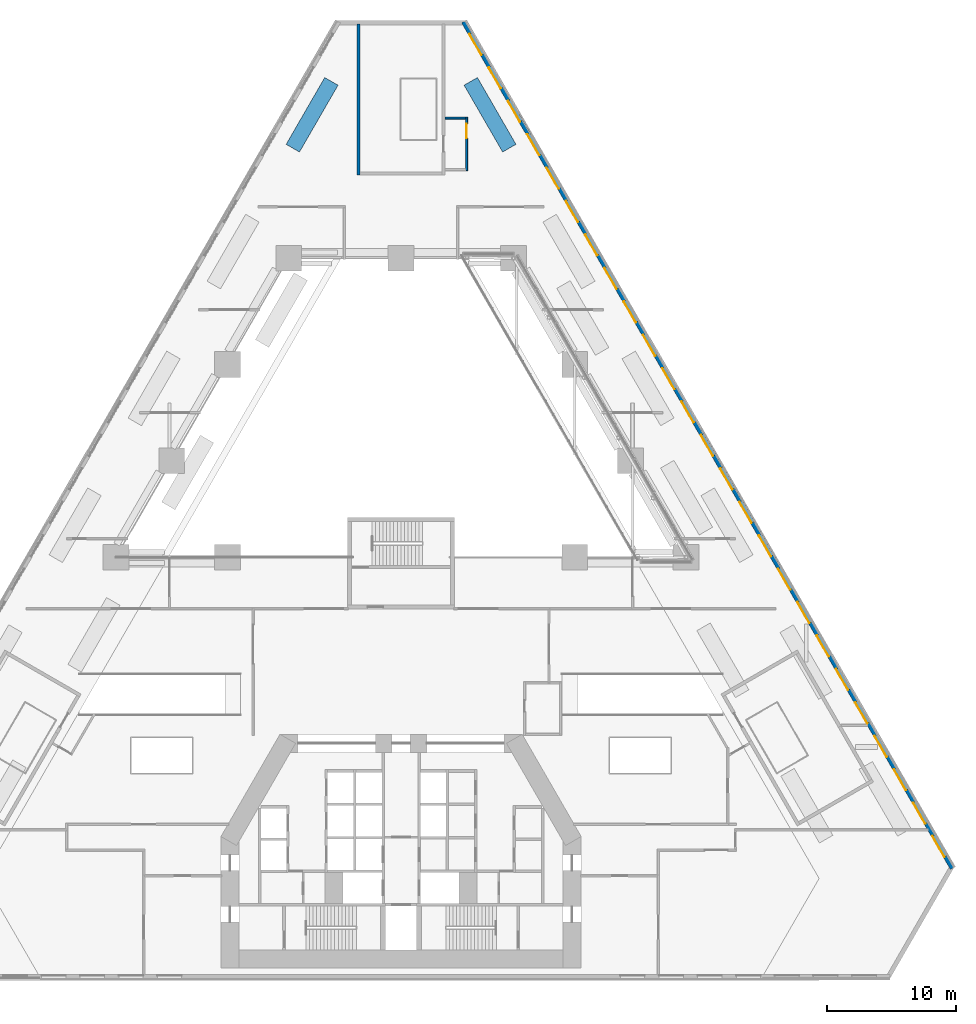
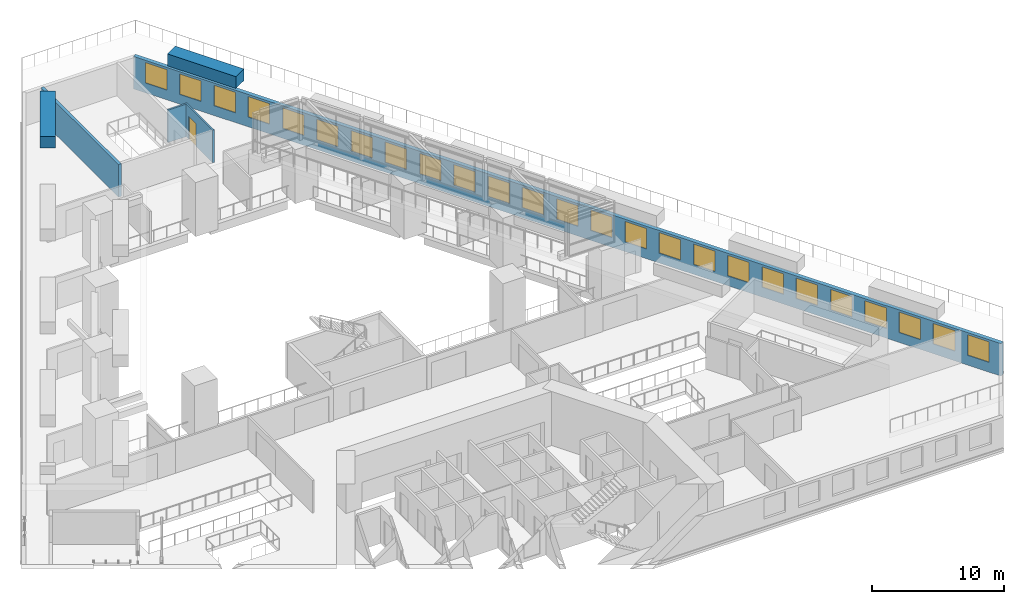
# One storey, part 13 of 19: 25 windows, 6 walls, 1 door, 26 openings.
"""IFC4 building model written with IfcOpenShell, lengths in metres."""

from ifc_helpers import new_model, si_unit, direction, frame, frame_2d, origin, place, context, subcontext, project, spatial, polyline, rectangle, outline, extrude, material, layer, layer_set, type_object, element, fill, save


model = new_model("IFC4")

# Units and contexts
model_context = context("Model", 3, precision=1e-05, world=origin(), true_north=direction((0.0, 1.0)))
body_context = subcontext(model_context, "Body", "Model", "MODEL_VIEW")
ifc_project = project(units=[si_unit("LENGTHUNIT", "METRE"), si_unit("AREAUNIT", "SQUARE_METRE"), si_unit("VOLUMEUNIT", "CUBIC_METRE"), si_unit("PLANEANGLEUNIT", "RADIAN"), si_unit("MASSUNIT", "GRAM", prefix="KILO")], contexts=[model_context])

# Site, building, storey
site_placement = place(None, origin())
site = spatial("IfcSite", under=ifc_project, at=site_placement, CompositionType="ELEMENT")
building_placement = place(site_placement, origin())
building = spatial("IfcBuilding", under=site, at=building_placement, Name="Fogline Exchange Tower", CompositionType="ELEMENT")
storey_placement = place(building_placement, frame((0.0, 0.0, 20.0)))
storey = spatial("IfcBuildingStorey", under=building, at=storey_placement, Name="L03", CompositionType="ELEMENT", Elevation=20.0)

# Wall, openings, windows
ifc_material_1 = material(Name="Brick masonry", Category="masonry")
ifc_layer_1 = layer(ifc_material_1, 0.340087890625)
ifc_layer_set_1 = layer_set([ifc_layer_1], Name="FW1")
wall_type_1 = type_object("IfcWallType", Name="FW1", PredefinedType="SOLIDWALL", material=ifc_layer_set_1)
wall_1_placement = place(storey_placement, frame((42.852783203125, 8.5751953125, 0.0), z_axis=(0.0, 0.0, 1.0), x_axis=(-0.49999894854, 0.866026010844, 0.0)))
wall_1 = element("IfcWall", 1, at=wall_1_placement, inside=storey, type_object=wall_type_1, Name="Brick wall L03 E", PredefinedType="SOLIDWALL", context=body_context, shape_type="SweptSolid", body=[
    extrude(rectangle(XDim=76.000244140625, YDim=0.340087890625, at=frame_2d((38.0, 0.0))), origin(), (0.0, 0.0, 1.0), 3.0),
])
opening_1_placement = place(wall_1_placement, frame((1.0576171875, 0.0, 0.89990234375)))
opening_1 = element("IfcOpeningElement", 2, at=opening_1_placement, cuts=wall_1, Name="Opening W9", PredefinedType="OPENING", context=body_context, shape_type="SweptSolid", body=[
    extrude(rectangle(XDim=1.885009765625, YDim=1.89990234375, at=frame_2d((0.9423828125, 0.949951171875))), frame((0.0, 0.18017578125, 0.0), z_axis=(0.0, -1.0, 0.0), x_axis=(1.0, 0.0, 0.0)), (0.0, 0.0, 1.0), 0.360107421875),
])
opening_2_placement = place(wall_1_placement, frame((4.0576171875, 0.0, 0.89990234375)))
opening_2 = element("IfcOpeningElement", 3, at=opening_2_placement, cuts=wall_1, Name="Opening W9", PredefinedType="OPENING", context=body_context, shape_type="SweptSolid", body=[
    extrude(rectangle(XDim=1.885009765625, YDim=1.89990234375, at=frame_2d((0.9423828125, 0.949951171875))), frame((0.0, 0.18017578125, 0.0), z_axis=(0.0, -1.0, 0.0), x_axis=(1.0, 0.0, 0.0)), (0.0, 0.0, 1.0), 0.360107421875),
])
opening_3_placement = place(wall_1_placement, frame((7.0576171875, 0.0, 0.89990234375)))
opening_3 = element("IfcOpeningElement", 4, at=opening_3_placement, cuts=wall_1, Name="Opening W9", PredefinedType="OPENING", context=body_context, shape_type="SweptSolid", body=[
    extrude(rectangle(XDim=1.885009765625, YDim=1.89990234375, at=frame_2d((0.9423828125, 0.949951171875))), frame((0.0, 0.18017578125, 0.0), z_axis=(0.0, -1.0, 0.0), x_axis=(1.0, 0.0, 0.0)), (0.0, 0.0, 1.0), 0.360107421875),
])
opening_4_placement = place(wall_1_placement, frame((10.0576171875, 0.0, 0.89990234375)))
opening_4 = element("IfcOpeningElement", 5, at=opening_4_placement, cuts=wall_1, Name="Opening W9", PredefinedType="OPENING", context=body_context, shape_type="SweptSolid", body=[
    extrude(rectangle(XDim=1.885009765625, YDim=1.89990234375, at=frame_2d((0.9423828125, 0.949951171875))), frame((0.0, 0.18017578125, 0.0), z_axis=(0.0, -1.0, 0.0), x_axis=(1.0, 0.0, 0.0)), (0.0, 0.0, 1.0), 0.360107421875),
])
opening_5_placement = place(wall_1_placement, frame((13.0576171875, 0.0, 0.89990234375)))
opening_5 = element("IfcOpeningElement", 6, at=opening_5_placement, cuts=wall_1, Name="Opening W9", PredefinedType="OPENING", context=body_context, shape_type="SweptSolid", body=[
    extrude(rectangle(XDim=1.885009765625, YDim=1.89990234375, at=frame_2d((0.9423828125, 0.949951171875))), frame((0.0, 0.18017578125, 0.0), z_axis=(0.0, -1.0, 0.0), x_axis=(1.0, 0.0, 0.0)), (0.0, 0.0, 1.0), 0.360107421875),
])
opening_6_placement = place(wall_1_placement, frame((16.0576171875, 0.0, 0.89990234375)))
opening_6 = element("IfcOpeningElement", 7, at=opening_6_placement, cuts=wall_1, Name="Opening W9", PredefinedType="OPENING", context=body_context, shape_type="SweptSolid", body=[
    extrude(rectangle(XDim=1.885009765625, YDim=1.89990234375, at=frame_2d((0.9423828125, 0.949951171875))), frame((0.0, 0.18017578125, 0.0), z_axis=(0.0, -1.0, 0.0), x_axis=(1.0, 0.0, 0.0)), (0.0, 0.0, 1.0), 0.360107421875),
])
opening_7_placement = place(wall_1_placement, frame((19.0576171875, 0.0, 0.89990234375)))
opening_7 = element("IfcOpeningElement", 8, at=opening_7_placement, cuts=wall_1, Name="Opening W9", PredefinedType="OPENING", context=body_context, shape_type="SweptSolid", body=[
    extrude(rectangle(XDim=1.885009765625, YDim=1.89990234375, at=frame_2d((0.9423828125, 0.949951171875))), frame((0.0, 0.18017578125, 0.0), z_axis=(0.0, -1.0, 0.0), x_axis=(1.0, 0.0, 0.0)), (0.0, 0.0, 1.0), 0.360107421875),
])
opening_8_placement = place(wall_1_placement, frame((22.0576171875, 0.0, 0.89990234375)))
opening_8 = element("IfcOpeningElement", 9, at=opening_8_placement, cuts=wall_1, Name="Opening W9", PredefinedType="OPENING", context=body_context, shape_type="SweptSolid", body=[
    extrude(rectangle(XDim=1.885009765625, YDim=1.89990234375, at=frame_2d((0.9423828125, 0.949951171875))), frame((0.0, 0.18017578125, 0.0), z_axis=(0.0, -1.0, 0.0), x_axis=(1.0, 0.0, 0.0)), (0.0, 0.0, 1.0), 0.360107421875),
])
opening_9_placement = place(wall_1_placement, frame((25.0576171875, 0.0, 0.89990234375)))
opening_9 = element("IfcOpeningElement", 10, at=opening_9_placement, cuts=wall_1, Name="Opening W9", PredefinedType="OPENING", context=body_context, shape_type="SweptSolid", body=[
    extrude(rectangle(XDim=1.885009765625, YDim=1.89990234375, at=frame_2d((0.9423828125, 0.949951171875))), frame((0.0, 0.18017578125, 0.0), z_axis=(0.0, -1.0, 0.0), x_axis=(1.0, 0.0, 0.0)), (0.0, 0.0, 1.0), 0.360107421875),
])
opening_10_placement = place(wall_1_placement, frame((28.0576171875, 0.0, 0.89990234375)))
opening_10 = element("IfcOpeningElement", 11, at=opening_10_placement, cuts=wall_1, Name="Opening W9", PredefinedType="OPENING", context=body_context, shape_type="SweptSolid", body=[
    extrude(rectangle(XDim=1.885009765625, YDim=1.89990234375, at=frame_2d((0.9423828125, 0.949951171875))), frame((0.0, 0.18017578125, 0.0), z_axis=(0.0, -1.0, 0.0), x_axis=(1.0, 0.0, 0.0)), (0.0, 0.0, 1.0), 0.360107421875),
])
opening_11_placement = place(wall_1_placement, frame((31.0576171875, 0.0, 0.89990234375)))
opening_11 = element("IfcOpeningElement", 12, at=opening_11_placement, cuts=wall_1, Name="Opening W9", PredefinedType="OPENING", context=body_context, shape_type="SweptSolid", body=[
    extrude(rectangle(XDim=1.885009765625, YDim=1.89990234375, at=frame_2d((0.9423828125, 0.949951171875))), frame((0.0, 0.18017578125, 0.0), z_axis=(0.0, -1.0, 0.0), x_axis=(1.0, 0.0, 0.0)), (0.0, 0.0, 1.0), 0.360107421875),
])
opening_12_placement = place(wall_1_placement, frame((34.0576171875, 0.0, 0.89990234375)))
opening_12 = element("IfcOpeningElement", 13, at=opening_12_placement, cuts=wall_1, Name="Opening W9", PredefinedType="OPENING", context=body_context, shape_type="SweptSolid", body=[
    extrude(rectangle(XDim=1.885009765625, YDim=1.89990234375, at=frame_2d((0.9423828125, 0.949951171875))), frame((0.0, 0.18017578125, 0.0), z_axis=(0.0, -1.0, 0.0), x_axis=(1.0, 0.0, 0.0)), (0.0, 0.0, 1.0), 0.360107421875),
])
opening_13_placement = place(wall_1_placement, frame((37.0576171875, 0.0, 0.89990234375)))
opening_13 = element("IfcOpeningElement", 14, at=opening_13_placement, cuts=wall_1, Name="Opening W9", PredefinedType="OPENING", context=body_context, shape_type="SweptSolid", body=[
    extrude(rectangle(XDim=1.885009765625, YDim=1.89990234375, at=frame_2d((0.9423828125, 0.949951171875))), frame((0.0, 0.18017578125, 0.0), z_axis=(0.0, -1.0, 0.0), x_axis=(1.0, 0.0, 0.0)), (0.0, 0.0, 1.0), 0.360107421875),
])
opening_14_placement = place(wall_1_placement, frame((40.0576171875, 0.0, 0.89990234375)))
opening_14 = element("IfcOpeningElement", 15, at=opening_14_placement, cuts=wall_1, Name="Opening W9", PredefinedType="OPENING", context=body_context, shape_type="SweptSolid", body=[
    extrude(rectangle(XDim=1.885009765625, YDim=1.89990234375, at=frame_2d((0.9423828125, 0.949951171875))), frame((0.0, 0.18017578125, 0.0), z_axis=(0.0, -1.0, 0.0), x_axis=(1.0, 0.0, 0.0)), (0.0, 0.0, 1.0), 0.360107421875),
])
opening_15_placement = place(wall_1_placement, frame((43.0576171875, 0.0, 0.89990234375)))
opening_15 = element("IfcOpeningElement", 16, at=opening_15_placement, cuts=wall_1, Name="Opening W9", PredefinedType="OPENING", context=body_context, shape_type="SweptSolid", body=[
    extrude(rectangle(XDim=1.885009765625, YDim=1.89990234375, at=frame_2d((0.9423828125, 0.949951171875))), frame((0.0, 0.18017578125, 0.0), z_axis=(0.0, -1.0, 0.0), x_axis=(1.0, 0.0, 0.0)), (0.0, 0.0, 1.0), 0.360107421875),
])
opening_16_placement = place(wall_1_placement, frame((46.0576171875, 0.0, 0.89990234375)))
opening_16 = element("IfcOpeningElement", 17, at=opening_16_placement, cuts=wall_1, Name="Opening W9", PredefinedType="OPENING", context=body_context, shape_type="SweptSolid", body=[
    extrude(rectangle(XDim=1.885009765625, YDim=1.89990234375, at=frame_2d((0.9423828125, 0.949951171875))), frame((0.0, 0.18017578125, 0.0), z_axis=(0.0, -1.0, 0.0), x_axis=(1.0, 0.0, 0.0)), (0.0, 0.0, 1.0), 0.360107421875),
])
opening_17_placement = place(wall_1_placement, frame((49.0576171875, 0.0, 0.89990234375)))
opening_17 = element("IfcOpeningElement", 18, at=opening_17_placement, cuts=wall_1, Name="Opening W9", PredefinedType="OPENING", context=body_context, shape_type="SweptSolid", body=[
    extrude(rectangle(XDim=1.885009765625, YDim=1.89990234375, at=frame_2d((0.9423828125, 0.949951171875))), frame((0.0, 0.18017578125, 0.0), z_axis=(0.0, -1.0, 0.0), x_axis=(1.0, 0.0, 0.0)), (0.0, 0.0, 1.0), 0.360107421875),
])
opening_18_placement = place(wall_1_placement, frame((52.0576171875, 0.0, 0.89990234375)))
opening_18 = element("IfcOpeningElement", 19, at=opening_18_placement, cuts=wall_1, Name="Opening W9", PredefinedType="OPENING", context=body_context, shape_type="SweptSolid", body=[
    extrude(rectangle(XDim=1.885009765625, YDim=1.89990234375, at=frame_2d((0.9423828125, 0.949951171875))), frame((0.0, 0.18017578125, 0.0), z_axis=(0.0, -1.0, 0.0), x_axis=(1.0, 0.0, 0.0)), (0.0, 0.0, 1.0), 0.360107421875),
])
opening_19_placement = place(wall_1_placement, frame((55.0576171875, 0.0, 0.89990234375)))
opening_19 = element("IfcOpeningElement", 20, at=opening_19_placement, cuts=wall_1, Name="Opening W9", PredefinedType="OPENING", context=body_context, shape_type="SweptSolid", body=[
    extrude(rectangle(XDim=1.885009765625, YDim=1.89990234375, at=frame_2d((0.9423828125, 0.949951171875))), frame((0.0, 0.18017578125, 0.0), z_axis=(0.0, -1.0, 0.0), x_axis=(1.0, 0.0, 0.0)), (0.0, 0.0, 1.0), 0.360107421875),
])
opening_20_placement = place(wall_1_placement, frame((58.0576171875, 0.0, 0.89990234375)))
opening_20 = element("IfcOpeningElement", 21, at=opening_20_placement, cuts=wall_1, Name="Opening W9", PredefinedType="OPENING", context=body_context, shape_type="SweptSolid", body=[
    extrude(rectangle(XDim=1.885009765625, YDim=1.89990234375, at=frame_2d((0.9423828125, 0.949951171875))), frame((0.0, 0.18017578125, 0.0), z_axis=(0.0, -1.0, 0.0), x_axis=(1.0, 0.0, 0.0)), (0.0, 0.0, 1.0), 0.360107421875),
])
opening_21_placement = place(wall_1_placement, frame((61.0576171875, 0.0, 0.89990234375)))
opening_21 = element("IfcOpeningElement", 22, at=opening_21_placement, cuts=wall_1, Name="Opening W9", PredefinedType="OPENING", context=body_context, shape_type="SweptSolid", body=[
    extrude(rectangle(XDim=1.885009765625, YDim=1.89990234375, at=frame_2d((0.9423828125, 0.949951171875))), frame((0.0, 0.18017578125, 0.0), z_axis=(0.0, -1.0, 0.0), x_axis=(1.0, 0.0, 0.0)), (0.0, 0.0, 1.0), 0.360107421875),
])
opening_22_placement = place(wall_1_placement, frame((64.0576171875, 0.0, 0.89990234375)))
opening_22 = element("IfcOpeningElement", 23, at=opening_22_placement, cuts=wall_1, Name="Opening W9", PredefinedType="OPENING", context=body_context, shape_type="SweptSolid", body=[
    extrude(rectangle(XDim=1.885009765625, YDim=1.89990234375, at=frame_2d((0.9423828125, 0.949951171875))), frame((0.0, 0.18017578125, 0.0), z_axis=(0.0, -1.0, 0.0), x_axis=(1.0, 0.0, 0.0)), (0.0, 0.0, 1.0), 0.360107421875),
])
opening_23_placement = place(wall_1_placement, frame((67.0576171875, 0.0, 0.89990234375)))
opening_23 = element("IfcOpeningElement", 24, at=opening_23_placement, cuts=wall_1, Name="Opening W9", PredefinedType="OPENING", context=body_context, shape_type="SweptSolid", body=[
    extrude(rectangle(XDim=1.885009765625, YDim=1.89990234375, at=frame_2d((0.9423828125, 0.949951171875))), frame((0.0, 0.18017578125, 0.0), z_axis=(0.0, -1.0, 0.0), x_axis=(1.0, 0.0, 0.0)), (0.0, 0.0, 1.0), 0.360107421875),
])
opening_24_placement = place(wall_1_placement, frame((70.0576171875, 0.0, 0.89990234375)))
opening_24 = element("IfcOpeningElement", 25, at=opening_24_placement, cuts=wall_1, Name="Opening W9", PredefinedType="OPENING", context=body_context, shape_type="SweptSolid", body=[
    extrude(rectangle(XDim=1.885009765625, YDim=1.89990234375, at=frame_2d((0.9423828125, 0.949951171875))), frame((0.0, 0.18017578125, 0.0), z_axis=(0.0, -1.0, 0.0), x_axis=(1.0, 0.0, 0.0)), (0.0, 0.0, 1.0), 0.360107421875),
])
opening_25_placement = place(wall_1_placement, frame((73.0576171875, 0.0, 0.89990234375)))
opening_25 = element("IfcOpeningElement", 26, at=opening_25_placement, cuts=wall_1, Name="Opening W9", PredefinedType="OPENING", context=body_context, shape_type="SweptSolid", body=[
    extrude(rectangle(XDim=1.885009765625, YDim=1.89990234375, at=frame_2d((0.9423828125, 0.949951171875))), frame((0.0, 0.18017578125, 0.0), z_axis=(0.0, -1.0, 0.0), x_axis=(1.0, 0.0, 0.0)), (0.0, 0.0, 1.0), 0.360107421875),
])
ifc_material_2 = material(Name="Aluminium and glass", Category="aluminium")
window_type = type_object("IfcWindowType", Name="W9", PartitioningType="SINGLE_PANEL", PredefinedType="WINDOW", material=ifc_material_2)
window_1_placement = place(opening_1_placement, origin())
window_1 = element("IfcWindow", 27, at=window_1_placement, inside=storey, type_object=window_type, Name="W9 W9", OverallHeight=1.89990234375, OverallWidth=1.885009765625, PartitioningType="SINGLE_PANEL", PredefinedType="WINDOW", context=body_context, shape_type="SweptSolid", body=[
    extrude(rectangle(XDim=1.885009765625, YDim=1.89990234375, at=frame_2d((0.9423828125, 0.949951171875))), frame((0.0, 0.110107421875, 0.0), z_axis=(0.0, -1.0, 0.0), x_axis=(1.0, 0.0, 0.0)), (0.0, 0.0, 1.0), 0.06005859375),
])
fill(opening_1, window_1)
window_2_placement = place(opening_2_placement, origin())
window_2 = element("IfcWindow", 28, at=window_2_placement, inside=storey, type_object=window_type, Name="W9 W9", OverallHeight=1.89990234375, OverallWidth=1.885009765625, PartitioningType="SINGLE_PANEL", PredefinedType="WINDOW", context=body_context, shape_type="SweptSolid", body=[
    extrude(rectangle(XDim=1.885009765625, YDim=1.89990234375, at=frame_2d((0.9423828125, 0.949951171875))), frame((0.0, 0.110107421875, 0.0), z_axis=(0.0, -1.0, 0.0), x_axis=(1.0, 0.0, 0.0)), (0.0, 0.0, 1.0), 0.06005859375),
])
fill(opening_2, window_2)
window_3_placement = place(opening_3_placement, origin())
window_3 = element("IfcWindow", 29, at=window_3_placement, inside=storey, type_object=window_type, Name="W9 W9", OverallHeight=1.89990234375, OverallWidth=1.885009765625, PartitioningType="SINGLE_PANEL", PredefinedType="WINDOW", context=body_context, shape_type="SweptSolid", body=[
    extrude(rectangle(XDim=1.885009765625, YDim=1.89990234375, at=frame_2d((0.9423828125, 0.949951171875))), frame((0.0, 0.110107421875, 0.0), z_axis=(0.0, -1.0, 0.0), x_axis=(1.0, 0.0, 0.0)), (0.0, 0.0, 1.0), 0.06005859375),
])
fill(opening_3, window_3)
window_4_placement = place(opening_4_placement, origin())
window_4 = element("IfcWindow", 30, at=window_4_placement, inside=storey, type_object=window_type, Name="W9 W9", OverallHeight=1.89990234375, OverallWidth=1.885009765625, PartitioningType="SINGLE_PANEL", PredefinedType="WINDOW", context=body_context, shape_type="SweptSolid", body=[
    extrude(rectangle(XDim=1.885009765625, YDim=1.89990234375, at=frame_2d((0.9423828125, 0.949951171875))), frame((0.0, 0.110107421875, 0.0), z_axis=(0.0, -1.0, 0.0), x_axis=(1.0, 0.0, 0.0)), (0.0, 0.0, 1.0), 0.06005859375),
])
fill(opening_4, window_4)
window_5_placement = place(opening_5_placement, origin())
window_5 = element("IfcWindow", 31, at=window_5_placement, inside=storey, type_object=window_type, Name="W9 W9", OverallHeight=1.89990234375, OverallWidth=1.885009765625, PartitioningType="SINGLE_PANEL", PredefinedType="WINDOW", context=body_context, shape_type="SweptSolid", body=[
    extrude(rectangle(XDim=1.885009765625, YDim=1.89990234375, at=frame_2d((0.9423828125, 0.949951171875))), frame((0.0, 0.110107421875, 0.0), z_axis=(0.0, -1.0, 0.0), x_axis=(1.0, 0.0, 0.0)), (0.0, 0.0, 1.0), 0.06005859375),
])
fill(opening_5, window_5)
window_6_placement = place(opening_6_placement, origin())
window_6 = element("IfcWindow", 32, at=window_6_placement, inside=storey, type_object=window_type, Name="W9 W9", OverallHeight=1.89990234375, OverallWidth=1.885009765625, PartitioningType="SINGLE_PANEL", PredefinedType="WINDOW", context=body_context, shape_type="SweptSolid", body=[
    extrude(rectangle(XDim=1.885009765625, YDim=1.89990234375, at=frame_2d((0.9423828125, 0.949951171875))), frame((0.0, 0.110107421875, 0.0), z_axis=(0.0, -1.0, 0.0), x_axis=(1.0, 0.0, 0.0)), (0.0, 0.0, 1.0), 0.06005859375),
])
fill(opening_6, window_6)
window_7_placement = place(opening_7_placement, origin())
window_7 = element("IfcWindow", 33, at=window_7_placement, inside=storey, type_object=window_type, Name="W9 W9", OverallHeight=1.89990234375, OverallWidth=1.885009765625, PartitioningType="SINGLE_PANEL", PredefinedType="WINDOW", context=body_context, shape_type="SweptSolid", body=[
    extrude(rectangle(XDim=1.885009765625, YDim=1.89990234375, at=frame_2d((0.9423828125, 0.949951171875))), frame((0.0, 0.110107421875, 0.0), z_axis=(0.0, -1.0, 0.0), x_axis=(1.0, 0.0, 0.0)), (0.0, 0.0, 1.0), 0.06005859375),
])
fill(opening_7, window_7)
window_8_placement = place(opening_8_placement, origin())
window_8 = element("IfcWindow", 34, at=window_8_placement, inside=storey, type_object=window_type, Name="W9 W9", OverallHeight=1.89990234375, OverallWidth=1.885009765625, PartitioningType="SINGLE_PANEL", PredefinedType="WINDOW", context=body_context, shape_type="SweptSolid", body=[
    extrude(rectangle(XDim=1.885009765625, YDim=1.89990234375, at=frame_2d((0.9423828125, 0.949951171875))), frame((0.0, 0.110107421875, 0.0), z_axis=(0.0, -1.0, 0.0), x_axis=(1.0, 0.0, 0.0)), (0.0, 0.0, 1.0), 0.06005859375),
])
fill(opening_8, window_8)
window_9_placement = place(opening_9_placement, origin())
window_9 = element("IfcWindow", 35, at=window_9_placement, inside=storey, type_object=window_type, Name="W9 W9", OverallHeight=1.89990234375, OverallWidth=1.885009765625, PartitioningType="SINGLE_PANEL", PredefinedType="WINDOW", context=body_context, shape_type="SweptSolid", body=[
    extrude(rectangle(XDim=1.885009765625, YDim=1.89990234375, at=frame_2d((0.9423828125, 0.949951171875))), frame((0.0, 0.110107421875, 0.0), z_axis=(0.0, -1.0, 0.0), x_axis=(1.0, 0.0, 0.0)), (0.0, 0.0, 1.0), 0.06005859375),
])
fill(opening_9, window_9)
window_10_placement = place(opening_10_placement, origin())
window_10 = element("IfcWindow", 36, at=window_10_placement, inside=storey, type_object=window_type, Name="W9 W9", OverallHeight=1.89990234375, OverallWidth=1.885009765625, PartitioningType="SINGLE_PANEL", PredefinedType="WINDOW", context=body_context, shape_type="SweptSolid", body=[
    extrude(rectangle(XDim=1.885009765625, YDim=1.89990234375, at=frame_2d((0.9423828125, 0.949951171875))), frame((0.0, 0.110107421875, 0.0), z_axis=(0.0, -1.0, 0.0), x_axis=(1.0, 0.0, 0.0)), (0.0, 0.0, 1.0), 0.06005859375),
])
fill(opening_10, window_10)
window_11_placement = place(opening_11_placement, origin())
window_11 = element("IfcWindow", 37, at=window_11_placement, inside=storey, type_object=window_type, Name="W9 W9", OverallHeight=1.89990234375, OverallWidth=1.885009765625, PartitioningType="SINGLE_PANEL", PredefinedType="WINDOW", context=body_context, shape_type="SweptSolid", body=[
    extrude(rectangle(XDim=1.885009765625, YDim=1.89990234375, at=frame_2d((0.9423828125, 0.949951171875))), frame((0.0, 0.110107421875, 0.0), z_axis=(0.0, -1.0, 0.0), x_axis=(1.0, 0.0, 0.0)), (0.0, 0.0, 1.0), 0.06005859375),
])
fill(opening_11, window_11)
window_12_placement = place(opening_12_placement, origin())
window_12 = element("IfcWindow", 38, at=window_12_placement, inside=storey, type_object=window_type, Name="W9 W9", OverallHeight=1.89990234375, OverallWidth=1.885009765625, PartitioningType="SINGLE_PANEL", PredefinedType="WINDOW", context=body_context, shape_type="SweptSolid", body=[
    extrude(rectangle(XDim=1.885009765625, YDim=1.89990234375, at=frame_2d((0.9423828125, 0.949951171875))), frame((0.0, 0.110107421875, 0.0), z_axis=(0.0, -1.0, 0.0), x_axis=(1.0, 0.0, 0.0)), (0.0, 0.0, 1.0), 0.06005859375),
])
fill(opening_12, window_12)
window_13_placement = place(opening_13_placement, origin())
window_13 = element("IfcWindow", 39, at=window_13_placement, inside=storey, type_object=window_type, Name="W9 W9", OverallHeight=1.89990234375, OverallWidth=1.885009765625, PartitioningType="SINGLE_PANEL", PredefinedType="WINDOW", context=body_context, shape_type="SweptSolid", body=[
    extrude(rectangle(XDim=1.885009765625, YDim=1.89990234375, at=frame_2d((0.9423828125, 0.949951171875))), frame((0.0, 0.110107421875, 0.0), z_axis=(0.0, -1.0, 0.0), x_axis=(1.0, 0.0, 0.0)), (0.0, 0.0, 1.0), 0.06005859375),
])
fill(opening_13, window_13)
window_14_placement = place(opening_14_placement, origin())
window_14 = element("IfcWindow", 40, at=window_14_placement, inside=storey, type_object=window_type, Name="W9 W9", OverallHeight=1.89990234375, OverallWidth=1.885009765625, PartitioningType="SINGLE_PANEL", PredefinedType="WINDOW", context=body_context, shape_type="SweptSolid", body=[
    extrude(rectangle(XDim=1.885009765625, YDim=1.89990234375, at=frame_2d((0.9423828125, 0.949951171875))), frame((0.0, 0.110107421875, 0.0), z_axis=(0.0, -1.0, 0.0), x_axis=(1.0, 0.0, 0.0)), (0.0, 0.0, 1.0), 0.06005859375),
])
fill(opening_14, window_14)
window_15_placement = place(opening_15_placement, origin())
window_15 = element("IfcWindow", 41, at=window_15_placement, inside=storey, type_object=window_type, Name="W9 W9", OverallHeight=1.89990234375, OverallWidth=1.885009765625, PartitioningType="SINGLE_PANEL", PredefinedType="WINDOW", context=body_context, shape_type="SweptSolid", body=[
    extrude(rectangle(XDim=1.885009765625, YDim=1.89990234375, at=frame_2d((0.9423828125, 0.949951171875))), frame((0.0, 0.110107421875, 0.0), z_axis=(0.0, -1.0, 0.0), x_axis=(1.0, 0.0, 0.0)), (0.0, 0.0, 1.0), 0.06005859375),
])
fill(opening_15, window_15)
window_16_placement = place(opening_16_placement, origin())
window_16 = element("IfcWindow", 42, at=window_16_placement, inside=storey, type_object=window_type, Name="W9 W9", OverallHeight=1.89990234375, OverallWidth=1.885009765625, PartitioningType="SINGLE_PANEL", PredefinedType="WINDOW", context=body_context, shape_type="SweptSolid", body=[
    extrude(rectangle(XDim=1.885009765625, YDim=1.89990234375, at=frame_2d((0.9423828125, 0.949951171875))), frame((0.0, 0.110107421875, 0.0), z_axis=(0.0, -1.0, 0.0), x_axis=(1.0, 0.0, 0.0)), (0.0, 0.0, 1.0), 0.06005859375),
])
fill(opening_16, window_16)
window_17_placement = place(opening_17_placement, origin())
window_17 = element("IfcWindow", 43, at=window_17_placement, inside=storey, type_object=window_type, Name="W9 W9", OverallHeight=1.89990234375, OverallWidth=1.885009765625, PartitioningType="SINGLE_PANEL", PredefinedType="WINDOW", context=body_context, shape_type="SweptSolid", body=[
    extrude(rectangle(XDim=1.885009765625, YDim=1.89990234375, at=frame_2d((0.9423828125, 0.949951171875))), frame((0.0, 0.110107421875, 0.0), z_axis=(0.0, -1.0, 0.0), x_axis=(1.0, 0.0, 0.0)), (0.0, 0.0, 1.0), 0.06005859375),
])
fill(opening_17, window_17)
window_18_placement = place(opening_18_placement, origin())
window_18 = element("IfcWindow", 44, at=window_18_placement, inside=storey, type_object=window_type, Name="W9 W9", OverallHeight=1.89990234375, OverallWidth=1.885009765625, PartitioningType="SINGLE_PANEL", PredefinedType="WINDOW", context=body_context, shape_type="SweptSolid", body=[
    extrude(rectangle(XDim=1.885009765625, YDim=1.89990234375, at=frame_2d((0.9423828125, 0.949951171875))), frame((0.0, 0.110107421875, 0.0), z_axis=(0.0, -1.0, 0.0), x_axis=(1.0, 0.0, 0.0)), (0.0, 0.0, 1.0), 0.06005859375),
])
fill(opening_18, window_18)
window_19_placement = place(opening_19_placement, origin())
window_19 = element("IfcWindow", 45, at=window_19_placement, inside=storey, type_object=window_type, Name="W9 W9", OverallHeight=1.89990234375, OverallWidth=1.885009765625, PartitioningType="SINGLE_PANEL", PredefinedType="WINDOW", context=body_context, shape_type="SweptSolid", body=[
    extrude(rectangle(XDim=1.885009765625, YDim=1.89990234375, at=frame_2d((0.9423828125, 0.949951171875))), frame((0.0, 0.110107421875, 0.0), z_axis=(0.0, -1.0, 0.0), x_axis=(1.0, 0.0, 0.0)), (0.0, 0.0, 1.0), 0.06005859375),
])
fill(opening_19, window_19)
window_20_placement = place(opening_20_placement, origin())
window_20 = element("IfcWindow", 46, at=window_20_placement, inside=storey, type_object=window_type, Name="W9 W9", OverallHeight=1.89990234375, OverallWidth=1.885009765625, PartitioningType="SINGLE_PANEL", PredefinedType="WINDOW", context=body_context, shape_type="SweptSolid", body=[
    extrude(rectangle(XDim=1.885009765625, YDim=1.89990234375, at=frame_2d((0.9423828125, 0.949951171875))), frame((0.0, 0.110107421875, 0.0), z_axis=(0.0, -1.0, 0.0), x_axis=(1.0, 0.0, 0.0)), (0.0, 0.0, 1.0), 0.06005859375),
])
fill(opening_20, window_20)
window_21_placement = place(opening_21_placement, origin())
window_21 = element("IfcWindow", 47, at=window_21_placement, inside=storey, type_object=window_type, Name="W9 W9", OverallHeight=1.89990234375, OverallWidth=1.885009765625, PartitioningType="SINGLE_PANEL", PredefinedType="WINDOW", context=body_context, shape_type="SweptSolid", body=[
    extrude(rectangle(XDim=1.885009765625, YDim=1.89990234375, at=frame_2d((0.9423828125, 0.949951171875))), frame((0.0, 0.110107421875, 0.0), z_axis=(0.0, -1.0, 0.0), x_axis=(1.0, 0.0, 0.0)), (0.0, 0.0, 1.0), 0.06005859375),
])
fill(opening_21, window_21)
window_22_placement = place(opening_22_placement, origin())
window_22 = element("IfcWindow", 48, at=window_22_placement, inside=storey, type_object=window_type, Name="W9 W9", OverallHeight=1.89990234375, OverallWidth=1.885009765625, PartitioningType="SINGLE_PANEL", PredefinedType="WINDOW", context=body_context, shape_type="SweptSolid", body=[
    extrude(rectangle(XDim=1.885009765625, YDim=1.89990234375, at=frame_2d((0.9423828125, 0.949951171875))), frame((0.0, 0.110107421875, 0.0), z_axis=(0.0, -1.0, 0.0), x_axis=(1.0, 0.0, 0.0)), (0.0, 0.0, 1.0), 0.06005859375),
])
fill(opening_22, window_22)
window_23_placement = place(opening_23_placement, origin())
window_23 = element("IfcWindow", 49, at=window_23_placement, inside=storey, type_object=window_type, Name="W9 W9", OverallHeight=1.89990234375, OverallWidth=1.885009765625, PartitioningType="SINGLE_PANEL", PredefinedType="WINDOW", context=body_context, shape_type="SweptSolid", body=[
    extrude(rectangle(XDim=1.885009765625, YDim=1.89990234375, at=frame_2d((0.9423828125, 0.949951171875))), frame((0.0, 0.110107421875, 0.0), z_axis=(0.0, -1.0, 0.0), x_axis=(1.0, 0.0, 0.0)), (0.0, 0.0, 1.0), 0.06005859375),
])
fill(opening_23, window_23)
window_24_placement = place(opening_24_placement, origin())
window_24 = element("IfcWindow", 50, at=window_24_placement, inside=storey, type_object=window_type, Name="W9 W9", OverallHeight=1.89990234375, OverallWidth=1.885009765625, PartitioningType="SINGLE_PANEL", PredefinedType="WINDOW", context=body_context, shape_type="SweptSolid", body=[
    extrude(rectangle(XDim=1.885009765625, YDim=1.89990234375, at=frame_2d((0.9423828125, 0.949951171875))), frame((0.0, 0.110107421875, 0.0), z_axis=(0.0, -1.0, 0.0), x_axis=(1.0, 0.0, 0.0)), (0.0, 0.0, 1.0), 0.06005859375),
])
fill(opening_24, window_24)
window_25_placement = place(opening_25_placement, origin())
window_25 = element("IfcWindow", 51, at=window_25_placement, inside=storey, type_object=window_type, Name="W9 W9", OverallHeight=1.89990234375, OverallWidth=1.885009765625, PartitioningType="SINGLE_PANEL", PredefinedType="WINDOW", context=body_context, shape_type="SweptSolid", body=[
    extrude(rectangle(XDim=1.885009765625, YDim=1.89990234375, at=frame_2d((0.9423828125, 0.949951171875))), frame((0.0, 0.110107421875, 0.0), z_axis=(0.0, -1.0, 0.0), x_axis=(1.0, 0.0, 0.0)), (0.0, 0.0, 1.0), 0.06005859375),
])
fill(opening_25, window_25)

# Walls
ifc_material_3 = material(Name="Concrete C30", Category="concrete")
ifc_layer_2 = layer(ifc_material_3, 0.199951171875)
ifc_layer_set_2 = layer_set([ifc_layer_2], Name="PL1")
wall_type_2 = type_object("IfcWallType", Name="PL1", PredefinedType="USERDEFINED", material=ifc_layer_set_2)
wall_2_placement = place(storey_placement, frame((0.0, 0.0, 5.0)))
element("IfcWall", 52, at=wall_2_placement, inside=storey, type_object=wall_type_2, Name="PLANTER podium terrace", ObjectType="PLANTER", PredefinedType="USERDEFINED", context=body_context, shape_type="SweptSolid", body=[
    extrude(outline(polyline([(-8.935302734375, 64.86181640625), (-7.89599609375, 64.261962890625), (-4.89599609375, 69.4580078125), (-5.935302734375, 70.05810546875), (-8.935302734375, 64.86181640625)])), origin(), (0.0, 0.0, 1.0), 1.10009765625),
])
wall_3_placement = place(storey_placement, frame((0.0, 0.0, 5.0)))
element("IfcWall", 53, at=wall_3_placement, inside=storey, type_object=wall_type_2, Name="PLANTER podium terrace", ObjectType="PLANTER", PredefinedType="USERDEFINED", context=body_context, shape_type="SweptSolid", body=[
    extrude(outline(polyline([(5.935302734375, 70.05810546875), (4.89599609375, 69.4580078125), (7.89599609375, 64.261962890625), (8.935302734375, 64.86181640625), (5.935302734375, 70.05810546875)])), origin(), (0.0, 0.0, 1.0), 1.10009765625),
])
ifc_material_4 = material(Name="Plasterboard on steel stud", Category="steel")
ifc_layer_3 = layer(ifc_material_4, 0.14990234375)
ifc_layer_set_3 = layer_set([ifc_layer_3], Name="PP1")
wall_type_3 = type_object("IfcWallType", Name="PP1", PredefinedType="PARTITIONING", material=ifc_layer_set_3)
wall_4_placement = place(storey_placement, frame((3.425048828125, 66.89990234375, 0.0), z_axis=(0.0, 0.0, 1.0), x_axis=(1.0, 0.0, 0.0)))
element("IfcWall", 54, at=wall_4_placement, inside=storey, type_object=wall_type_3, Name="PP1 partition", PredefinedType="PARTITIONING", context=body_context, shape_type="SweptSolid", body=[
    extrude(rectangle(XDim=1.599853515625, YDim=0.14990234375, at=frame_2d((0.7998046875, 0.0))), origin(), (0.0, 0.0, 1.0), 3.0),
])

# Wall, opening, door
wall_5_placement = place(storey_placement, frame((5.10009765625, 66.97509765625, 0.0), z_axis=(0.0, 0.0, 1.0), x_axis=(0.0, -1.0, 0.0)))
wall_5 = element("IfcWall", 55, at=wall_5_placement, inside=storey, type_object=wall_type_3, Name="PP1 partition", PredefinedType="PARTITIONING", context=body_context, shape_type="SweptSolid", body=[
    extrude(rectangle(XDim=4.150146484375, YDim=0.14990234375, at=frame_2d((2.0751953125, 0.0))), origin(), (0.0, 0.0, 1.0), 3.0),
])
opening_26_placement = place(wall_5_placement, frame((0.52490234375, 0.0, 0.0)))
opening_26 = element("IfcOpeningElement", 56, at=opening_26_placement, cuts=wall_5, Name="Opening P03-D006", PredefinedType="OPENING", context=body_context, shape_type="SweptSolid", body=[
    extrude(rectangle(XDim=1.10009765625, YDim=2.10009765625, at=frame_2d((0.550048828125, 1.050048828125))), frame((0.0, 0.0849609375, 0.0), z_axis=(0.0, -1.0, 0.0), x_axis=(1.0, 0.0, 0.0)), (0.0, 0.0, 1.0), 0.169921875),
])
ifc_material_5 = material(Name="Steel Q235B", Category="steel")
door_type = type_object("IfcDoorType", Name="PD5", OperationType="SINGLE_SWING_LEFT", PredefinedType="DOOR", material=ifc_material_5)
door_placement = place(opening_26_placement, origin())
door = element("IfcDoor", 57, at=door_placement, inside=storey, type_object=door_type, Name="P03-D006", OperationType="SINGLE_SWING_LEFT", OverallHeight=2.10009765625, OverallWidth=1.10009765625, PredefinedType="DOOR", context=body_context, shape_type="SweptSolid", body=[
    extrude(rectangle(XDim=1.10009765625, YDim=2.10009765625, at=frame_2d((0.550048828125, 1.050048828125))), frame((0.0, 0.02490234375, 0.0), z_axis=(0.0, -1.0, 0.0), x_axis=(1.0, 0.0, 0.0)), (0.0, 0.0, 1.0), 0.050048828125),
])
fill(opening_26, door)

# Wall
ifc_material_6 = material(Name="Concrete C40", Category="concrete")
ifc_layer_4 = layer(ifc_material_6, 0.25)
ifc_layer_set_4 = layer_set([ifc_layer_4], Name="PP3")
wall_type_4 = type_object("IfcWallType", Name="PP3", PredefinedType="SOLIDWALL", material=ifc_layer_set_4)
wall_6_placement = place(storey_placement, frame((-3.300048828125, 62.47509765625, 0.0), z_axis=(0.0, 0.0, 1.0), x_axis=(0.0, 1.0, 0.0)))
element("IfcWall", 58, at=wall_6_placement, inside=storey, type_object=wall_type_4, Name="PP3 bearing wall", PredefinedType="SOLIDWALL", context=body_context, shape_type="SweptSolid", body=[
    extrude(rectangle(XDim=11.758056640625, YDim=0.25, at=frame_2d((5.87890625, 0.0))), origin(), (0.0, 0.0, 1.0), 3.0),
])

save(model, "model.ifc")
